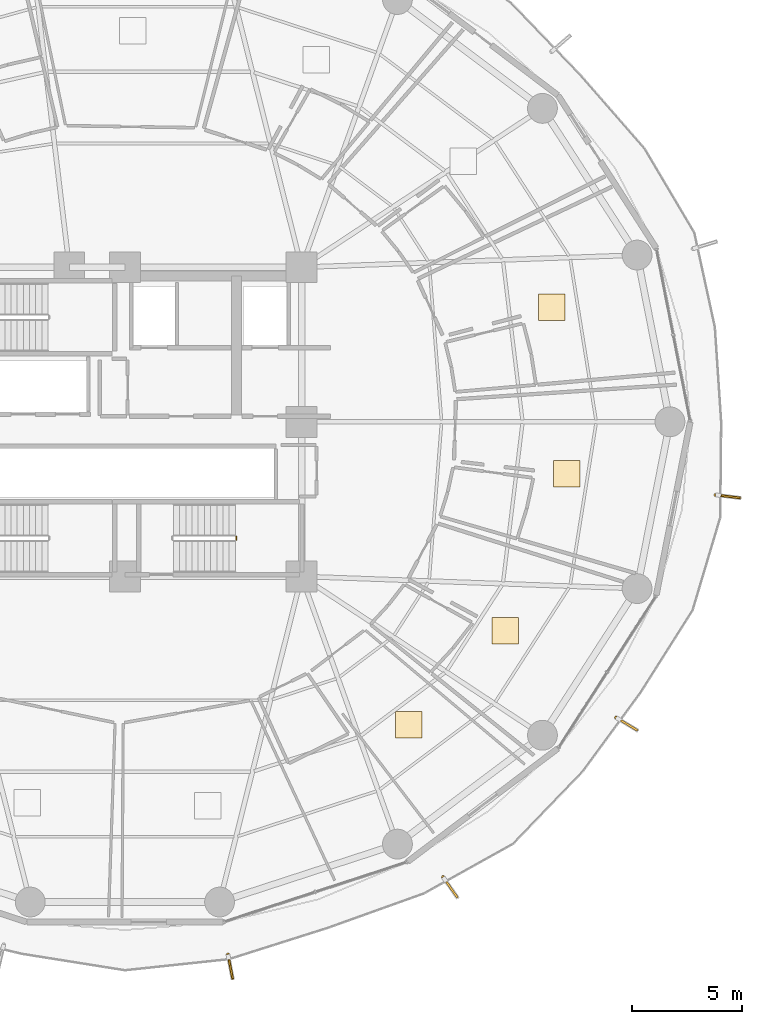
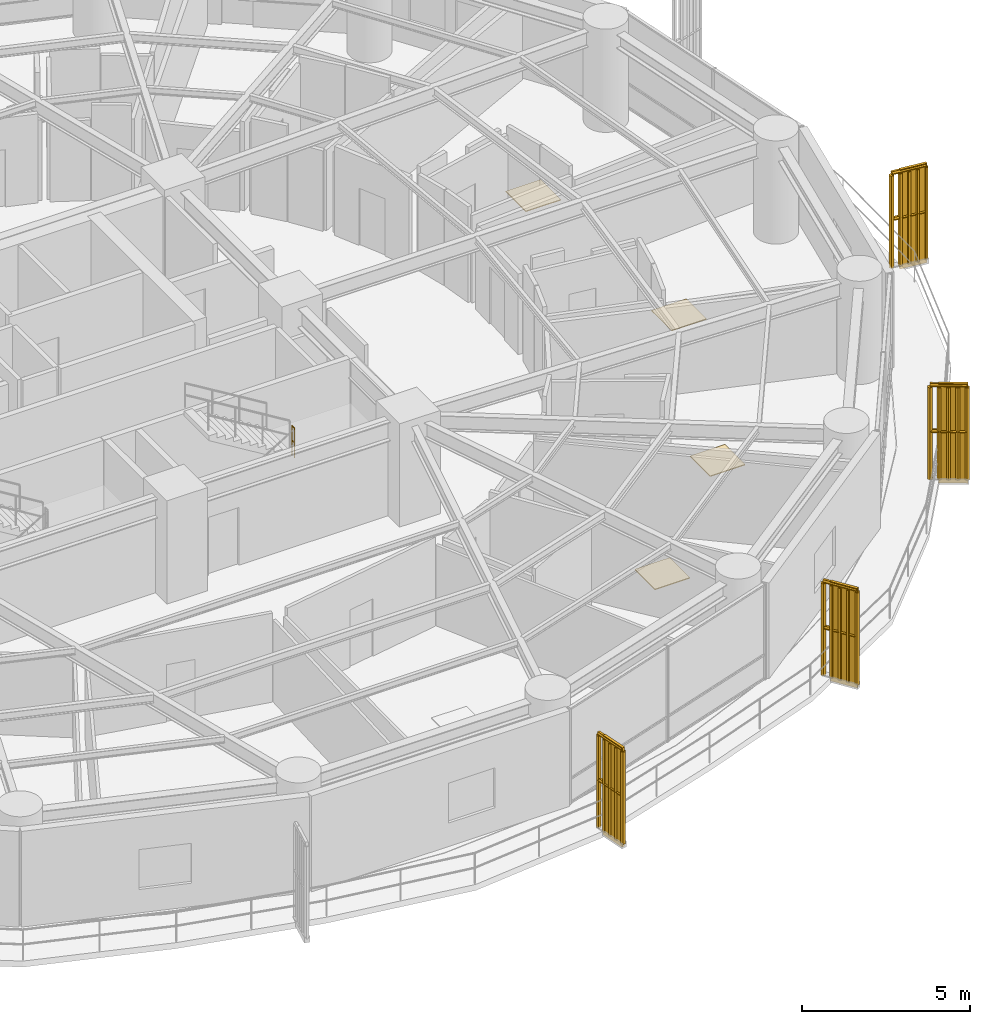
# One storey, part 35 of 36: 5 railings, 4 coverings, 4 shading devices.
"""IFC4 building model written with IfcOpenShell, lengths in metres."""

import ifcopenshell
import ifcopenshell.guid

model = None  # the IFC model being written
_history = None  # IfcOwnerHistory: only IFC2X3 demands one
_inside = {}  # id of a spatial element -> (the spatial element, [elements in it])
_under = {}  # id of a project, library or spatial element -> (it, [spatial elements below it])
_declared = {}  # id of a project -> (the project, [libraries it declares])
_typed = {}  # id of a type object -> (the type object, [elements of that type])
_made_of = {}  # id of a material, layer set ... -> (it, [elements and type objects made of it])


def new_model(schema):
    """Start an empty IFC model of exactly this schema.

    Asked for "IFC4X3", IfcOpenShell would pick the latest addendum, in which some entities
    have other attributes; the version numbers below select the first issue.
    IFC2X3 requires an IfcOwnerHistory on every rooted entity: one is made here for all.
    """
    global model, _history
    if schema == "IFC4X3":
        model = ifcopenshell.file(schema_version=(4, 3, 0, 0))
    else:
        model = ifcopenshell.file(schema=schema)
    _inside.clear()
    _under.clear()
    _declared.clear()
    _typed.clear()
    _made_of.clear()
    _history = None
    if model.schema == "IFC2X3":
        org = make("IfcOrganization", Name="unknown")
        user = make(
            "IfcPersonAndOrganization",
            ThePerson=make("IfcPerson", FamilyName="unknown"),
            TheOrganization=org,
        )
        app = make(
            "IfcApplication",
            ApplicationDeveloper=org,
            Version="unknown",
            ApplicationFullName="unknown",
            ApplicationIdentifier="unknown",
        )
        _history = make(
            "IfcOwnerHistory",
            OwningUser=user,
            OwningApplication=app,
            ChangeAction="ADDED",
            CreationDate=0,
        )
    return model


def make(cls, **values):
    """One entity of the class cls with the attributes given. An attribute that is None is left unset."""
    return model.create_entity(
        cls, **{name: value for name, value in values.items() if value is not None}
    )


def rooted(cls, **values):
    """An entity with a GlobalId (a new one), such as an element, a storey or a relation."""
    return make(cls, GlobalId=ifcopenshell.guid.new(), OwnerHistory=_history, **values)


def si_unit(unit_type, name, prefix=None):
    """IfcSIUnit, for example si_unit("LENGTHUNIT", "METRE", prefix="MILLI")."""
    return make("IfcSIUnit", UnitType=unit_type, Prefix=prefix, Name=name)


def assignment(units):
    """IfcUnitAssignment: the units of a project."""
    return None if units is None else make("IfcUnitAssignment", Units=units)


def point(xyz):
    """IfcCartesianPoint."""
    return None if xyz is None else make("IfcCartesianPoint", Coordinates=xyz)


def direction(xyz):
    """IfcDirection."""
    return None if xyz is None else make("IfcDirection", DirectionRatios=xyz)


def frame(location, z_axis=None, x_axis=None):
    """IfcAxis2Placement3D, a coordinate frame: its origin and axes. An axis left out is left unset."""
    return make(
        "IfcAxis2Placement3D",
        Location=point(location),
        Axis=direction(z_axis),
        RefDirection=direction(x_axis),
    )


def frame_2d(location, x_axis=None):
    """IfcAxis2Placement2D, a coordinate frame in the plane: its origin and x axis."""
    return make(
        "IfcAxis2Placement2D", Location=point(location), RefDirection=direction(x_axis)
    )


def origin():
    """The frame at (0, 0, 0) with its axes left unset."""
    return frame((0.0, 0.0, 0.0))


def origin_2d():
    """The frame at (0, 0) in the plane with its x axis left unset."""
    return frame_2d((0.0, 0.0))


def place(relative_to, where):
    """IfcLocalPlacement: puts the frame where relative to a parent placement (None: the world)."""
    return make(
        "IfcLocalPlacement", PlacementRelTo=relative_to, RelativePlacement=where
    )


def context(
    kind, dimensions, precision=None, world=None, true_north=None, identifier=None
):
    """IfcGeometricRepresentationContext, for example the 3D "Model" context."""
    return make(
        "IfcGeometricRepresentationContext",
        ContextIdentifier=identifier,
        ContextType=kind,
        CoordinateSpaceDimension=dimensions,
        Precision=precision,
        WorldCoordinateSystem=world,
        TrueNorth=true_north,
    )


def subcontext(parent, identifier, kind, view, scale=None):
    """IfcGeometricRepresentationSubContext, for example "Body" below "Model"."""
    return make(
        "IfcGeometricRepresentationSubContext",
        ContextIdentifier=identifier,
        ContextType=kind,
        ParentContext=parent,
        TargetScale=scale,
        TargetView=view,
    )


def project(units=None, contexts=None):
    """IfcProject with its units and contexts."""
    return rooted(
        "IfcProject",
        Name="project",
        RepresentationContexts=contexts,
        UnitsInContext=assignment(units),
    )


def spatial(cls, under=None, at=None, **own):
    """A site, building, storey or space (cls), placed at a placement, below another one or the project."""
    s = rooted(cls, ObjectPlacement=at, **own)
    if under is not None:
        _under.setdefault(under.id(), (under, []))[1].append(s)
    return s


def polyline(points):
    """IfcPolyline through the points."""
    return make("IfcPolyline", Points=[point(p) for p in points])


def profile(cls, at=None, kind="AREA", **sizes):
    """A parametric profile (cls). Its sizes go by their IFC names, for example OverallWidth=200.0."""
    return make(cls, ProfileType=kind, Position=at, **sizes)


def rectangle(**sizes):
    """IfcRectangleProfileDef."""
    return profile("IfcRectangleProfileDef", **sizes)


def outline(outer, holes=None, kind="AREA"):
    """IfcArbitraryClosedProfileDef: a profile drawn as a closed curve; with holes, ...WithVoids."""
    if holes is None:
        return make("IfcArbitraryClosedProfileDef", ProfileType=kind, OuterCurve=outer)
    return make(
        "IfcArbitraryProfileDefWithVoids",
        ProfileType=kind,
        OuterCurve=outer,
        InnerCurves=holes,
    )


def extrude(swept, where, along, depth):
    """IfcExtrudedAreaSolid: the profile swept, set in the frame where, extruded along a direction by depth."""
    return make(
        "IfcExtrudedAreaSolid",
        SweptArea=swept,
        Position=where,
        ExtrudedDirection=direction(along),
        Depth=depth,
    )


def shape(context_of_items, identifier, shape_type, items):
    """IfcShapeRepresentation: the items that make up one representation, for example the "Body"."""
    return make(
        "IfcShapeRepresentation",
        ContextOfItems=context_of_items,
        RepresentationIdentifier=identifier,
        RepresentationType=shape_type,
        Items=items,
    )


def source(mapping_origin, context_of_items, identifier, shape_type, items):
    """IfcRepresentationMap: a shape defined once, which mapped items show again and again."""
    return make(
        "IfcRepresentationMap",
        MappingOrigin=mapping_origin,
        MappedRepresentation=shape(context_of_items, identifier, shape_type, items),
    )


def transform(
    local_origin,
    x_axis=None,
    y_axis=None,
    z_axis=None,
    scale=None,
    scale2=None,
    scale3=None,
    uniform=True,
):
    """IfcCartesianTransformationOperator3D, or its non-uniform kind. x_axis, y_axis, z_axis: its Axis1, 2, 3."""
    if uniform:
        return make(
            "IfcCartesianTransformationOperator3D",
            Axis1=direction(x_axis),
            Axis2=direction(y_axis),
            LocalOrigin=point(local_origin),
            Scale=scale,
            Axis3=direction(z_axis),
        )
    return make(
        "IfcCartesianTransformationOperator3DnonUniform",
        Axis1=direction(x_axis),
        Axis2=direction(y_axis),
        LocalOrigin=point(local_origin),
        Scale=scale,
        Axis3=direction(z_axis),
        Scale2=scale2,
        Scale3=scale3,
    )


def mapped(mapping_source, mapping_target):
    """IfcMappedItem: shows the shape of a source again, moved by a transform."""
    return make(
        "IfcMappedItem", MappingSource=mapping_source, MappingTarget=mapping_target
    )


def material(Name=None, Category=None):
    """IfcMaterial."""
    return make("IfcMaterial", Name=Name, Category=Category)


def layer(
    of_material, thickness, ventilated=None, Name=None, Category=None, Priority=None
):
    """IfcMaterialLayer: one layer of a wall or slab, of a material (None: an air gap)."""
    return make(
        "IfcMaterialLayer",
        Material=of_material,
        LayerThickness=thickness,
        IsVentilated=ventilated,
        Name=Name,
        Category=Category,
        Priority=Priority,
    )


def layer_set(layers, Name=None):
    """IfcMaterialLayerSet."""
    return make("IfcMaterialLayerSet", MaterialLayers=layers, LayerSetName=Name)


def made_of(thing, what):
    """Note that an element or type object is made of a material, layer set ...; save() writes the relation."""
    if what is not None:
        _made_of.setdefault(what.id(), (what, []))[1].append(thing)
    return thing


def type_object(cls, material=None, **own):
    """A type object (cls), such as IfcWallType, which elements share."""
    return made_of(rooted(cls, **own), material)


def element(
    cls,
    number,
    at=None,
    inside=None,
    cuts=None,
    type_object=None,
    material=None,
    context=None,
    identifier="Body",
    shape_type=None,
    held_by="IfcProductDefinitionShape",
    body=None,
    shapes=None,
    **own,
):
    """One element of the class cls, such as IfcWall. Its Tag is "e" and its number.

    at: its placement. inside: the storey or other place that contains it. cuts: it is an
    opening in that element (IfcRelVoidsElement). A single representation is given by context,
    identifier, shape_type and body (its items); several are given by shapes. held_by: the class
    of the entity that holds the representations. save() writes the other relations.
    """
    e = rooted(cls, Tag="e%d" % number, ObjectPlacement=at, **own)
    if body is not None:
        shapes = [shape(context, identifier, shape_type, body)]
    if shapes is not None:
        e.Representation = make(held_by, Representations=shapes)
    if inside is not None:
        _inside.setdefault(inside.id(), (inside, []))[1].append(e)
    if cuts is not None:
        rooted(
            "IfcRelVoidsElement", RelatingBuildingElement=cuts, RelatedOpeningElement=e
        )
    if type_object is not None:
        _typed.setdefault(type_object.id(), (type_object, []))[1].append(e)
    return made_of(e, material)


def aggregate(whole, parts):
    """IfcRelAggregates: a whole, such as a stair, and the parts it consists of."""
    return rooted("IfcRelAggregates", RelatingObject=whole, RelatedObjects=parts)


def save(model, path):
    """Write the relations noted so far, then the file.

    IfcRelAggregates (storeys below a building ...), IfcRelContainedInSpatialStructure (elements
    in a storey), IfcRelDefinesByType, IfcRelAssociatesMaterial and IfcRelDeclares: one each for
    every whole, place, type object, material and project.
    """
    for whole, parts in _under.values():
        aggregate(whole, parts)
    for where, things in _inside.values():
        rooted(
            "IfcRelContainedInSpatialStructure",
            RelatedElements=things,
            RelatingStructure=where,
        )
    for kind, things in _typed.values():
        rooted("IfcRelDefinesByType", RelatedObjects=things, RelatingType=kind)
    for what, things in _made_of.values():
        rooted("IfcRelAssociatesMaterial", RelatedObjects=things, RelatingMaterial=what)
    for by, libraries in _declared.values():
        rooted("IfcRelDeclares", RelatingContext=by, RelatedDefinitions=libraries)
    model.write(path)


model = new_model("IFC4")

# Units and contexts
model_context = context("Model", 3, precision=1e-05, world=origin(), true_north=direction((0.0, 1.0)))
body_context = subcontext(model_context, "Body", "Model", "MODEL_VIEW")
ifc_project = project(units=[si_unit("LENGTHUNIT", "METRE"), si_unit("AREAUNIT", "SQUARE_METRE"), si_unit("VOLUMEUNIT", "CUBIC_METRE"), si_unit("PLANEANGLEUNIT", "RADIAN"), si_unit("MASSUNIT", "GRAM", prefix="KILO")], contexts=[model_context])

# Site, building, storey
site_placement = place(None, origin())
site = spatial("IfcSite", under=ifc_project, at=site_placement, CompositionType="ELEMENT")
building_placement = place(site_placement, origin())
building = spatial("IfcBuilding", under=site, at=building_placement, Name="Kelanora Arch Commons", CompositionType="ELEMENT")
storey_placement = place(building_placement, frame((0.0, 0.0, 98.85009765625)))
storey = spatial("IfcBuildingStorey", under=building, at=storey_placement, Name="L25", CompositionType="ELEMENT", Elevation=98.85009765625)

# Railings
ifc_material_1 = material(Name="Anodised bronze vertical shading fin rib assembly")
railing_type_1 = type_object("IfcRailingType", Name="RAIL-FIN-BRZ", PredefinedType="BALUSTRADE", material=ifc_material_1)
railing_1_placement = place(storey_placement, frame((78.663818359375, 33.888427734375, -0.02001953125)))
element("IfcRailing", 1, at=railing_1_placement, inside=storey, type_object=railing_type_1, Name="Sweeping Bronze Vertical Fin Blade L25-10", PredefinedType="BALUSTRADE", context=body_context, shape_type="SweptSolid", body=[
    extrude(outline(polyline([(0.06982421875, 0.0), (0.034912109375, 0.060546875), (-0.034912109375, 0.060546875), (-0.06982421875, 0.0), (-0.034912109375, -0.060546875), (0.034912109375, -0.060546875), (0.06982421875, 0.0)])), frame((0.0, 0.0, 3.419921875), z_axis=(0.189706390569, -0.981840865608, 0.0), x_axis=(0.981840865608, 0.189706390569, 0.0)), (0.0, 0.0, 1.0), 1.106689453125),
    extrude(outline(polyline([(0.06982421875, 0.0), (0.034912109375, 0.060546875), (-0.034912109375, 0.060546875), (-0.06982421875, 0.0), (-0.034912109375, -0.060546875), (0.034912109375, -0.060546875), (0.06982421875, 0.0)])), frame((0.0, 0.0, 1.7451171875), z_axis=(0.189706390569, -0.981840865608, 0.0), x_axis=(0.981840865608, 0.189706390569, 0.0)), (0.0, 0.0, 1.0), 1.106689453125),
    extrude(outline(polyline([(0.080078125, 0.0), (0.0400390625, 0.0693359375), (-0.0400390625, 0.0693359375), (-0.080078125, 0.0), (-0.0400390625, -0.0693359375), (0.0400390625, -0.0693359375), (0.080078125, 0.0)])), origin(), (0.0, 0.0, 1.0), 3.35009765625),
    extrude(outline(polyline([(0.080078125, 0.0), (0.0400390625, 0.0693359375), (-0.0400390625, 0.0693359375), (-0.080078125, 0.0), (-0.0400390625, -0.0693359375), (0.0400390625, -0.0693359375), (0.080078125, 0.0)])), frame((0.052490234375, -0.271728515625, 0.0)), (0.0, 0.0, 1.0), 3.35009765625),
    extrude(outline(polyline([(0.080078125, 0.0), (0.0400390625, 0.0693359375), (-0.0400390625, 0.0693359375), (-0.080078125, 0.0), (-0.0400390625, -0.0693359375), (0.0400390625, -0.0693359375), (0.080078125, 0.0)])), frame((0.10498046875, -0.54345703125, 0.0)), (0.0, 0.0, 1.0), 3.35009765625),
    extrude(outline(polyline([(0.080078125, 0.0), (0.0400390625, 0.0693359375), (-0.0400390625, 0.0693359375), (-0.080078125, 0.0), (-0.0400390625, -0.0693359375), (0.0400390625, -0.0693359375), (0.080078125, 0.0)])), frame((0.157470703125, -0.81494140625, 0.0)), (0.0, 0.0, 1.0), 3.35009765625),
    extrude(outline(polyline([(0.080078125, 0.0), (0.0400390625, 0.0693359375), (-0.0400390625, 0.0693359375), (-0.080078125, 0.0), (-0.0400390625, -0.0693359375), (0.0400390625, -0.0693359375), (0.080078125, 0.0)])), frame((0.2099609375, -1.086669921875, 0.0)), (0.0, 0.0, 1.0), 3.35009765625),
])
railing_2_placement = place(storey_placement, frame((88.407470703125, 37.383544921875, -0.02001953125)))
element("IfcRailing", 2, at=railing_2_placement, inside=storey, type_object=railing_type_1, Name="Sweeping Bronze Vertical Fin Blade L25-11", PredefinedType="BALUSTRADE", context=body_context, shape_type="SweptSolid", body=[
    extrude(outline(polyline([(0.06982421875, 0.0), (0.034912109375, 0.060546875), (-0.034912109375, 0.060546875), (-0.06982421875, 0.0), (-0.034912109375, -0.060546875), (0.034912109375, -0.060546875), (0.06982421875, 0.0)])), frame((0.0, 0.0, 3.419921875), z_axis=(0.572840416416, -0.819666918522, 0.0), x_axis=(0.819666918522, 0.572840416416, 0.0)), (0.0, 0.0, 1.0), 1.10693359375),
    extrude(outline(polyline([(0.06982421875, 0.0), (0.034912109375, 0.060546875), (-0.034912109375, 0.060546875), (-0.06982421875, 0.0), (-0.034912109375, -0.060546875), (0.034912109375, -0.060546875), (0.06982421875, 0.0)])), frame((0.0, 0.0, 1.7451171875), z_axis=(0.572840416416, -0.819666918522, 0.0), x_axis=(0.819666918522, 0.572840416416, 0.0)), (0.0, 0.0, 1.0), 1.10693359375),
    extrude(outline(polyline([(0.080078125, 0.0), (0.0400390625, 0.0693359375), (-0.0400390625, 0.0693359375), (-0.080078125, 0.0), (-0.0400390625, -0.0693359375), (0.0400390625, -0.0693359375), (0.080078125, 0.0)])), origin(), (0.0, 0.0, 1.0), 3.35009765625),
    extrude(outline(polyline([(0.080078125, 0.0), (0.0400390625, 0.0693359375), (-0.0400390625, 0.0693359375), (-0.080078125, 0.0), (-0.0400390625, -0.0693359375), (0.0400390625, -0.0693359375), (0.080078125, 0.0)])), frame((0.158447265625, -0.226806640625, 0.0)), (0.0, 0.0, 1.0), 3.35009765625),
    extrude(outline(polyline([(0.080078125, 0.0), (0.0400390625, 0.0693359375), (-0.0400390625, 0.0693359375), (-0.080078125, 0.0), (-0.0400390625, -0.0693359375), (0.0400390625, -0.0693359375), (0.080078125, 0.0)])), frame((0.31689453125, -0.45361328125, 0.0)), (0.0, 0.0, 1.0), 3.35009765625),
    extrude(outline(polyline([(0.080078125, 0.0), (0.0400390625, 0.0693359375), (-0.0400390625, 0.0693359375), (-0.080078125, 0.0), (-0.0400390625, -0.0693359375), (0.0400390625, -0.0693359375), (0.080078125, 0.0)])), frame((0.4755859375, -0.680419921875, 0.0)), (0.0, 0.0, 1.0), 3.35009765625),
    extrude(outline(polyline([(0.080078125, 0.0), (0.0400390625, 0.0693359375), (-0.0400390625, 0.0693359375), (-0.080078125, 0.0), (-0.0400390625, -0.0693359375), (0.0400390625, -0.0693359375), (0.080078125, 0.0)])), frame((0.634033203125, -0.9072265625, 0.0)), (0.0, 0.0, 1.0), 3.35009765625),
])
railing_3_placement = place(storey_placement, frame((96.2392578125, 44.609375, -0.02001953125)))
element("IfcRailing", 3, at=railing_3_placement, inside=storey, type_object=railing_type_1, Name="Sweeping Bronze Vertical Fin Blade L25-12", PredefinedType="BALUSTRADE", context=body_context, shape_type="SweptSolid", body=[
    extrude(outline(polyline([(0.06982421875, 0.0), (0.034912109375, 0.060546875), (-0.034912109375, 0.060546875), (-0.06982421875, 0.0), (-0.034912109375, -0.060546875), (0.034912109375, -0.060546875), (0.06982421875, 0.0)])), frame((0.0, 0.0, 3.419921875), z_axis=(0.856654960942, -0.51588979239, 0.0), x_axis=(0.51588979239, 0.856654960942, 0.0)), (0.0, 0.0, 1.0), 1.10693359375),
    extrude(outline(polyline([(0.06982421875, 0.0), (0.034912109375, 0.060546875), (-0.034912109375, 0.060546875), (-0.06982421875, 0.0), (-0.034912109375, -0.060546875), (0.034912109375, -0.060546875), (0.06982421875, 0.0)])), frame((0.0, 0.0, 1.7451171875), z_axis=(0.856654960942, -0.51588979239, 0.0), x_axis=(0.51588979239, 0.856654960942, 0.0)), (0.0, 0.0, 1.0), 1.10693359375),
    extrude(outline(polyline([(0.080078125, 0.0), (0.0400390625, 0.0693359375), (-0.0400390625, 0.0693359375), (-0.080078125, 0.0), (-0.0400390625, -0.0693359375), (0.0400390625, -0.0693359375), (0.080078125, 0.0)])), origin(), (0.0, 0.0, 1.0), 3.35009765625),
    extrude(outline(polyline([(0.080078125, 0.0), (0.0400390625, 0.0693359375), (-0.0400390625, 0.0693359375), (-0.080078125, 0.0), (-0.0400390625, -0.0693359375), (0.0400390625, -0.0693359375), (0.080078125, 0.0)])), frame((0.237060546875, -0.142822265625, 0.0)), (0.0, 0.0, 1.0), 3.35009765625),
    extrude(outline(polyline([(0.080078125, 0.0), (0.0400390625, 0.0693359375), (-0.0400390625, 0.0693359375), (-0.080078125, 0.0), (-0.0400390625, -0.0693359375), (0.0400390625, -0.0693359375), (0.080078125, 0.0)])), frame((0.47412109375, -0.28564453125, 0.0)), (0.0, 0.0, 1.0), 3.35009765625),
    extrude(outline(polyline([(0.080078125, 0.0), (0.0400390625, 0.0693359375), (-0.0400390625, 0.0693359375), (-0.080078125, 0.0), (-0.0400390625, -0.0693359375), (0.0400390625, -0.0693359375), (0.080078125, 0.0)])), frame((0.711181640625, -0.42822265625, 0.0)), (0.0, 0.0, 1.0), 3.35009765625),
    extrude(outline(polyline([(0.080078125, 0.0), (0.0400390625, 0.0693359375), (-0.0400390625, 0.0693359375), (-0.080078125, 0.0), (-0.0400390625, -0.0693359375), (0.0400390625, -0.0693359375), (0.080078125, 0.0)])), frame((0.9482421875, -0.571044921875, 0.0)), (0.0, 0.0, 1.0), 3.35009765625),
])
railing_4_placement = place(storey_placement, frame((100.74169921875, 54.69140625, -0.02001953125)))
element("IfcRailing", 4, at=railing_4_placement, inside=storey, type_object=railing_type_1, Name="Sweeping Bronze Vertical Fin Blade L25-13", PredefinedType="BALUSTRADE", context=body_context, shape_type="SweptSolid", body=[
    extrude(outline(polyline([(0.06982421875, 0.0), (0.034912109375, 0.060546875), (-0.034912109375, 0.060546875), (-0.06982421875, 0.0), (-0.034912109375, -0.060546875), (0.034912109375, -0.060546875), (0.06982421875, 0.0)])), frame((0.0, 0.0, 3.419921875), z_axis=(0.992426446062, -0.122840340101, 0.0), x_axis=(0.122840340101, 0.992426446062, 0.0)), (0.0, 0.0, 1.0), 1.10693359375),
    extrude(outline(polyline([(0.06982421875, 0.0), (0.034912109375, 0.060546875), (-0.034912109375, 0.060546875), (-0.06982421875, 0.0), (-0.034912109375, -0.060546875), (0.034912109375, -0.060546875), (0.06982421875, 0.0)])), frame((0.0, 0.0, 1.7451171875), z_axis=(0.992426446062, -0.122840340101, 0.0), x_axis=(0.122840340101, 0.992426446062, 0.0)), (0.0, 0.0, 1.0), 1.10693359375),
    extrude(outline(polyline([(0.080078125, 0.0), (0.0400390625, 0.0693359375), (-0.0400390625, 0.0693359375), (-0.080078125, 0.0), (-0.0400390625, -0.0693359375), (0.0400390625, -0.0693359375), (0.080078125, 0.0)])), origin(), (0.0, 0.0, 1.0), 3.35009765625),
    extrude(outline(polyline([(0.080078125, 0.0), (0.0400390625, 0.0693359375), (-0.0400390625, 0.0693359375), (-0.080078125, 0.0), (-0.0400390625, -0.0693359375), (0.0400390625, -0.0693359375), (0.080078125, 0.0)])), frame((0.274658203125, -0.033935546875, 0.0)), (0.0, 0.0, 1.0), 3.35009765625),
    extrude(outline(polyline([(0.080078125, 0.0), (0.0400390625, 0.0693359375), (-0.0400390625, 0.0693359375), (-0.080078125, 0.0), (-0.0400390625, -0.0693359375), (0.0400390625, -0.0693359375), (0.080078125, 0.0)])), frame((0.54931640625, -0.06787109375, 0.0)), (0.0, 0.0, 1.0), 3.35009765625),
    extrude(outline(polyline([(0.080078125, 0.0), (0.0400390625, 0.0693359375), (-0.0400390625, 0.0693359375), (-0.080078125, 0.0), (-0.0400390625, -0.0693359375), (0.0400390625, -0.0693359375), (0.080078125, 0.0)])), frame((0.823974609375, -0.10205078125, 0.0)), (0.0, 0.0, 1.0), 3.35009765625),
    extrude(outline(polyline([(0.080078125, 0.0), (0.0400390625, 0.0693359375), (-0.0400390625, 0.0693359375), (-0.080078125, 0.0), (-0.0400390625, -0.0693359375), (0.0400390625, -0.0693359375), (0.080078125, 0.0)])), frame((1.0986328125, -0.135986328125, 0.0)), (0.0, 0.0, 1.0), 3.35009765625),
])
ifc_material_2 = material(Name="Painted steel stair well guard", Category="steel")
railing_type_2 = type_object("IfcRailingType", Name="RAIL-STAIR-GRD", PredefinedType="GUARDRAIL", material=ifc_material_2)
railing_5_placement = place(storey_placement, frame((79.050048828125, 52.659912109375, 1.875)))
element("IfcRailing", 5, at=railing_5_placement, inside=storey, type_object=railing_type_2, Name="L25 ST-T2 stair guard 2", PredefinedType="GUARDRAIL", context=body_context, shape_type="SweptSolid", body=[
    extrude(outline(polyline([(0.02392578125, 0.0), (0.011962890625, 0.020751953125), (-0.011962890625, 0.020751953125), (-0.02392578125, 0.0), (-0.011962890625, -0.020751953125), (0.011962890625, -0.020751953125), (0.02392578125, 0.0)])), frame((0.0, 0.0, 1.076171875), z_axis=(0.0, 1.0, 0.0), x_axis=(-1.0, 0.0, 0.0)), (0.0, 0.0, 1.0), 0.150146484375),
    extrude(outline(polyline([(0.02392578125, 0.0), (0.011962890625, 0.020751953125), (-0.011962890625, 0.020751953125), (-0.02392578125, 0.0), (-0.011962890625, -0.020751953125), (0.011962890625, -0.020751953125), (0.02392578125, 0.0)])), frame((0.0, 0.0, 0.550048828125), z_axis=(0.0, 1.0, 0.0), x_axis=(-1.0, 0.0, 0.0)), (0.0, 0.0, 1.0), 0.150146484375),
    extrude(outline(polyline([(0.02099609375, 0.0), (0.010498046875, 0.01806640625), (-0.010498046875, 0.01806640625), (-0.02099609375, 0.0), (-0.010498046875, -0.01806640625), (0.010498046875, -0.01806640625), (0.02099609375, 0.0)])), origin(), (0.0, 0.0, 1.0), 1.052001953125),
    extrude(outline(polyline([(0.02099609375, 0.0), (0.010498046875, 0.01806640625), (-0.010498046875, 0.01806640625), (-0.02099609375, 0.0), (-0.010498046875, -0.01806640625), (0.010498046875, -0.01806640625), (0.02099609375, 0.0)])), frame((0.0, 0.150146484375, 0.0)), (0.0, 0.0, 1.0), 1.052001953125),
])

# Shading devices
ifc_material_3 = material(Name="Terracotta ceramic-clad extruded aluminium fin", Category="masonry")
shading_device_type = type_object("IfcShadingDeviceType", Name="SHD-FIN-FLARE", PredefinedType="USERDEFINED", material=ifc_material_3)
shared_shape_1 = source(origin(), body_context, "Body", "SweptSolid", [
    extrude(rectangle(XDim=0.8798828125, YDim=0.090087890625, at=origin_2d()), origin(), (0.0, 0.0, 1.0), 3.610107421875),
])
for number, where, z_axis, x_axis, name in (
    (6, (78.79541015625, 33.207763671875, -0.14013671875), (0.0, 0.0, 1.0), (0.189952291512, -0.981793321911, 0.0), "Sweeping Terracotta Fin L25-10"),
    (7, (88.8046875, 36.815185546875, -0.14013671875), (0.0, 0.0, 1.0), (0.572861373028, -0.819652272182, 0.0), "Sweeping Terracotta Fin L25-11"),
    (8, (96.833251953125, 44.251708984375, -0.14013671875), (0.0, 0.0, 1.0), (0.856717518865, -0.515785898285, 0.0), "Sweeping Terracotta Fin L25-12"),
    (9, (101.429931640625, 54.606201171875, -0.14013671875), (0.0, 0.0, 1.0), (0.992439422656, -0.122735456807, 0.0), "Sweeping Terracotta Fin L25-13"),
):
    element("IfcShadingDevice", number, at=place(storey_placement, frame(where, z_axis=z_axis, x_axis=x_axis)), inside=storey, type_object=shading_device_type, Name=name, ObjectType="FIN", PredefinedType="USERDEFINED", context=body_context, shape_type="MappedRepresentation", body=[
        mapped(shared_shape_1, transform((0.0, 0.0, 0.0), scale=1.0)),
    ])

# Coverings
ifc_material_4 = material(Name="Polished local granite terrazzo flooring", Category="masonry")
ifc_layer = layer(ifc_material_4, 0.030029296875)
ifc_layer_set = layer_set([ifc_layer], Name="Polished local granite terrazzo flooring")
covering_type = type_object("IfcCoveringType", Name="COV-FLR-TER", PredefinedType="FLOORING", material=ifc_layer_set)
shared_shape_2 = source(origin(), body_context, "Body", "SweptSolid", [
    extrude(rectangle(XDim=1.199951171875, YDim=1.199951171875, at=origin_2d()), origin(), (0.0, 0.0, 1.0), 0.030029296875),
])
for number, where, z_axis, x_axis, name in (
    (10, (93.32861328125, 63.181884765625, 0.0), (0.0, 0.0, 1.0), (1.0, 0.0, 0.0), "Co-Living Studio L25-01 Terrazzo Finish"),
    (11, (86.848388671875, 44.27392578125, 0.0), (0.0, 0.0, 1.0), (1.0, 0.0, 0.0), "Tutorial Study Alcove L25-13 Terrazzo Finish"),
    (12, (91.210693359375, 48.541015625, 0.0), (0.0, 0.0, 1.0), (1.0, 0.0, 0.0), "Co-Living Studio L25-14 Terrazzo Finish"),
    (13, (93.99853515625, 55.658935546875, 0.0), (0.0, 0.0, 1.0), (1.0, 0.0, 0.0), "Co-Living Studio L25-15 Terrazzo Finish"),
):
    element("IfcCovering", number, at=place(storey_placement, frame(where, z_axis=z_axis, x_axis=x_axis)), inside=storey, type_object=covering_type, Name=name, PredefinedType="FLOORING", context=body_context, shape_type="MappedRepresentation", body=[
        mapped(shared_shape_2, transform((0.0, 0.0, 0.0), scale=1.0)),
    ])

save(model, "model.ifc")
